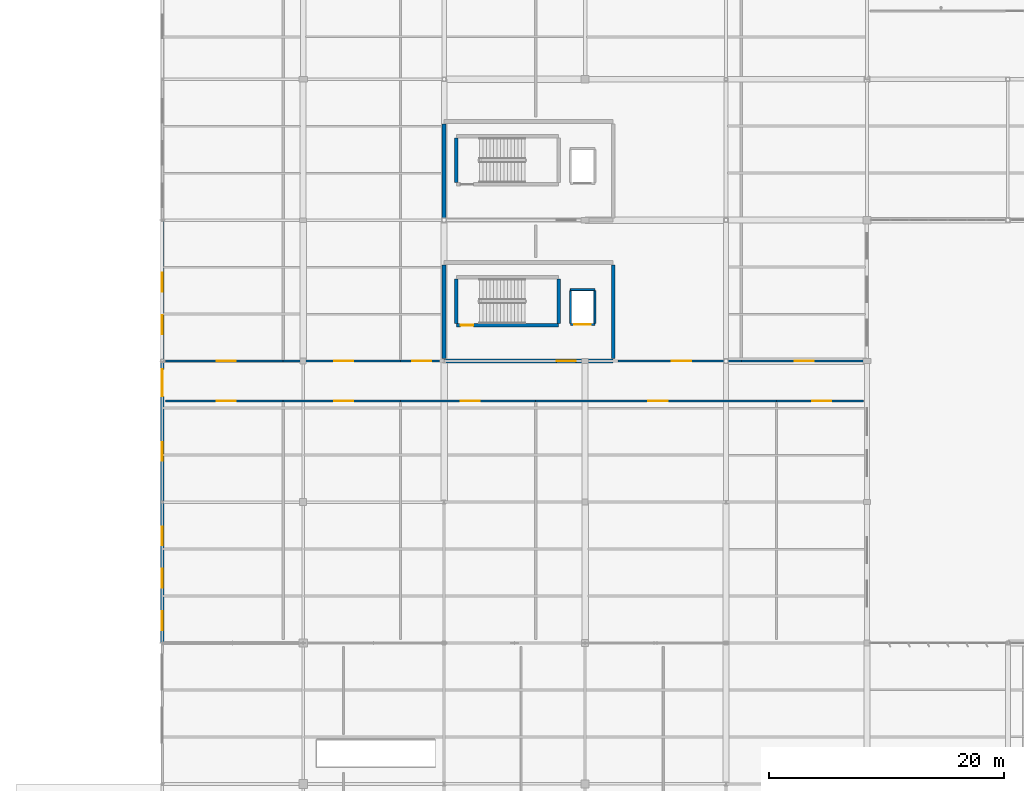
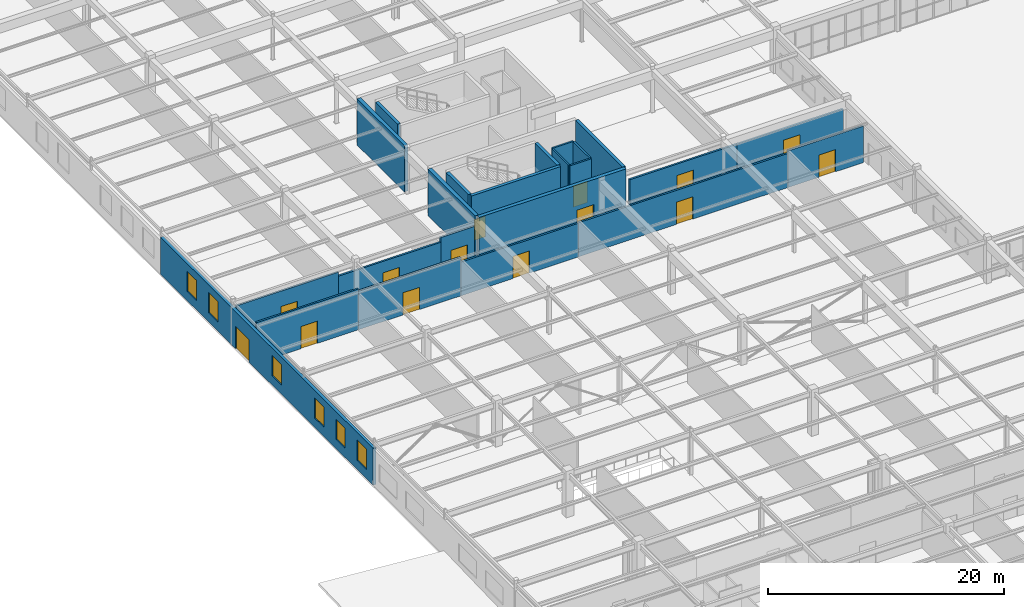
# One storey, part 163 of 199: 23 walls, 14 doors, 6 windows, 20 openings.
"""IFC4 building model written with IfcOpenShell, lengths in metres."""

from ifc_helpers import new_model, si_unit, direction, frame, frame_2d, origin, place, context, subcontext, project, spatial, rectangle, extrude, material, layer, layer_set, type_object, element, fill, save


model = new_model("IFC4")

# Units and contexts
model_context = context("Model", 3, precision=1e-05, world=origin(), true_north=direction((0.0, 1.0)))
body_context = subcontext(model_context, "Body", "Model", "MODEL_VIEW")
ifc_project = project(units=[si_unit("LENGTHUNIT", "METRE"), si_unit("AREAUNIT", "SQUARE_METRE"), si_unit("VOLUMEUNIT", "CUBIC_METRE"), si_unit("PLANEANGLEUNIT", "RADIAN"), si_unit("MASSUNIT", "GRAM", prefix="KILO")], contexts=[model_context])

# Site, building, storey
site_placement = place(None, origin())
site = spatial("IfcSite", under=ifc_project, at=site_placement, CompositionType="ELEMENT")
building_placement = place(site_placement, origin())
building = spatial("IfcBuilding", under=site, at=building_placement, Name="Tarnwether General Hospital", CompositionType="ELEMENT")
storey_placement = place(building_placement, origin())
storey = spatial("IfcBuildingStorey", under=building, at=storey_placement, Name="L00", CompositionType="ELEMENT", Elevation=0.0)

# Wall, openings, door, windows
ifc_material_1 = material(Name="Precast concrete 40 MPa", Category="concrete")
ifc_layer_1 = layer(ifc_material_1, 0.280029296875)
ifc_layer_set_1 = layer_set([ifc_layer_1], Name="Precast concrete 40 MPa")
wall_type_1 = type_object("IfcWallType", Name="WL-EX280", PredefinedType="STANDARD", material=ifc_layer_set_1)
wall_1_placement = place(storey_placement, frame((0.0, 45.60009765625, 0.0), z_axis=(0.0, 0.0, 1.0), x_axis=(0.0, 1.0, 0.0)))
wall_1 = element("IfcWall", 1, at=wall_1_placement, inside=storey, type_object=wall_type_1, Name="L00 West Scarp Overlook Wall EW-L00-0281", PredefinedType="STANDARD", context=body_context, shape_type="SweptSolid", body=[
    extrude(rectangle(XDim=36.0, YDim=0.280029296875, at=frame_2d((18.0, 0.0))), origin(), (0.0, 0.0, 1.0), 3.827880859375),
])
opening_1_placement = place(wall_1_placement, frame((21.0, 0.0, 0.0)))
opening_1 = element("IfcOpeningElement", 2, at=opening_1_placement, cuts=wall_1, Name="Opening ED-02", PredefinedType="OPENING", context=body_context, shape_type="SweptSolid", body=[
    extrude(rectangle(XDim=2.300048828125, YDim=2.300048828125, at=frame_2d((1.14990234375, 1.14990234375))), frame((0.0, 0.14990234375, 0.0), z_axis=(0.0, -1.0, 0.0), x_axis=(1.0, 0.0, 0.0)), (0.0, 0.0, 1.0), 0.300048828125),
])
opening_2_placement = place(wall_1_placement, frame((1.10009765625, 0.0, 0.949951171875)))
opening_2 = element("IfcOpeningElement", 3, at=opening_2_placement, cuts=wall_1, Name="Opening W-13", PredefinedType="OPENING", context=body_context, shape_type="SweptSolid", body=[
    extrude(rectangle(XDim=1.60009765625, YDim=2.10009765625, at=frame_2d((0.800048828125, 1.050048828125))), frame((0.0, 0.14990234375, 0.0), z_axis=(0.0, -1.0, 0.0), x_axis=(1.0, 0.0, 0.0)), (0.0, 0.0, 1.0), 0.300048828125),
])
opening_3_placement = place(wall_1_placement, frame((4.699951171875, 0.0, 0.949951171875)))
opening_3 = element("IfcOpeningElement", 4, at=opening_3_placement, cuts=wall_1, Name="Opening W-13", PredefinedType="OPENING", context=body_context, shape_type="SweptSolid", body=[
    extrude(rectangle(XDim=1.60009765625, YDim=2.10009765625, at=frame_2d((0.800048828125, 1.050048828125))), frame((0.0, 0.14990234375, 0.0), z_axis=(0.0, -1.0, 0.0), x_axis=(1.0, 0.0, 0.0)), (0.0, 0.0, 1.0), 0.300048828125),
])
opening_4_placement = place(wall_1_placement, frame((8.300048828125, 0.0, 0.949951171875)))
opening_4 = element("IfcOpeningElement", 5, at=opening_4_placement, cuts=wall_1, Name="Opening W-13", PredefinedType="OPENING", context=body_context, shape_type="SweptSolid", body=[
    extrude(rectangle(XDim=1.60009765625, YDim=2.10009765625, at=frame_2d((0.800048828125, 1.050048828125))), frame((0.0, 0.14990234375, 0.0), z_axis=(0.0, -1.0, 0.0), x_axis=(1.0, 0.0, 0.0)), (0.0, 0.0, 1.0), 0.300048828125),
])
opening_5_placement = place(wall_1_placement, frame((15.5, 0.0, 0.949951171875)))
opening_5 = element("IfcOpeningElement", 6, at=opening_5_placement, cuts=wall_1, Name="Opening W-13", PredefinedType="OPENING", context=body_context, shape_type="SweptSolid", body=[
    extrude(rectangle(XDim=1.60009765625, YDim=2.10009765625, at=frame_2d((0.800048828125, 1.050048828125))), frame((0.0, 0.14990234375, 0.0), z_axis=(0.0, -1.0, 0.0), x_axis=(1.0, 0.0, 0.0)), (0.0, 0.0, 1.0), 0.300048828125),
])
opening_6_placement = place(wall_1_placement, frame((26.300048828125, 0.0, 0.949951171875)))
opening_6 = element("IfcOpeningElement", 7, at=opening_6_placement, cuts=wall_1, Name="Opening W-13", PredefinedType="OPENING", context=body_context, shape_type="SweptSolid", body=[
    extrude(rectangle(XDim=1.60009765625, YDim=2.10009765625, at=frame_2d((0.800048828125, 1.050048828125))), frame((0.0, 0.14990234375, 0.0), z_axis=(0.0, -1.0, 0.0), x_axis=(1.0, 0.0, 0.0)), (0.0, 0.0, 1.0), 0.300048828125),
])
opening_7_placement = place(wall_1_placement, frame((29.89990234375, 0.0, 0.949951171875)))
opening_7 = element("IfcOpeningElement", 8, at=opening_7_placement, cuts=wall_1, Name="Opening W-13", PredefinedType="OPENING", context=body_context, shape_type="SweptSolid", body=[
    extrude(rectangle(XDim=1.60009765625, YDim=2.10009765625, at=frame_2d((0.800048828125, 1.050048828125))), frame((0.0, 0.14990234375, 0.0), z_axis=(0.0, -1.0, 0.0), x_axis=(1.0, 0.0, 0.0)), (0.0, 0.0, 1.0), 0.300048828125),
])
ifc_material_2 = material(Name="Anodised aluminium", Category="aluminium")
door_type_1 = type_object("IfcDoorType", Name="DR-EX02", OperationType="NOTDEFINED", PredefinedType="DOOR", material=ifc_material_2)
door_1_placement = place(opening_1_placement, origin())
door_1 = element("IfcDoor", 9, at=door_1_placement, inside=storey, type_object=door_type_1, Name="L00 West Imaging Protected Exit Door ED-L00-0011", OperationType="DOUBLE_DOOR_SINGLE_SWING", OverallHeight=2.300048828125, OverallWidth=2.300048828125, PredefinedType="DOOR", context=body_context, shape_type="SweptSolid", body=[
    extrude(rectangle(XDim=2.300048828125, YDim=2.300048828125, at=frame_2d((1.14990234375, 1.14990234375))), frame((0.0, 0.02490234375, 0.0), z_axis=(0.0, -1.0, 0.0), x_axis=(1.0, 0.0, 0.0)), (0.0, 0.0, 1.0), 0.050048828125),
])
fill(opening_1, door_1)
ifc_material_3 = material(Name="Double glazed low-E glass", Category="glass")
window_type = type_object("IfcWindowType", Name="WN-13", PartitioningType="DOUBLE_PANEL_VERTICAL", PredefinedType="WINDOW", material=ifc_material_3)
window_1_placement = place(opening_2_placement, origin())
window_1 = element("IfcWindow", 10, at=window_1_placement, inside=storey, type_object=window_type, Name="Window WN-L00-0019", OverallHeight=2.10009765625, OverallWidth=1.60009765625, PartitioningType="DOUBLE_PANEL_VERTICAL", PredefinedType="WINDOW", context=body_context, shape_type="SweptSolid", body=[
    extrude(rectangle(XDim=1.60009765625, YDim=2.10009765625, at=frame_2d((0.800048828125, 1.050048828125))), frame((0.0, 0.030029296875, 0.0), z_axis=(0.0, -1.0, 0.0), x_axis=(1.0, 0.0, 0.0)), (0.0, 0.0, 1.0), 0.06005859375),
])
fill(opening_2, window_1)
window_2_placement = place(opening_3_placement, origin())
window_2 = element("IfcWindow", 11, at=window_2_placement, inside=storey, type_object=window_type, Name="Window WN-L00-0020", OverallHeight=2.10009765625, OverallWidth=1.60009765625, PartitioningType="DOUBLE_PANEL_VERTICAL", PredefinedType="WINDOW", context=body_context, shape_type="SweptSolid", body=[
    extrude(rectangle(XDim=1.60009765625, YDim=2.10009765625, at=frame_2d((0.800048828125, 1.050048828125))), frame((0.0, 0.030029296875, 0.0), z_axis=(0.0, -1.0, 0.0), x_axis=(1.0, 0.0, 0.0)), (0.0, 0.0, 1.0), 0.06005859375),
])
fill(opening_3, window_2)
window_3_placement = place(opening_4_placement, origin())
window_3 = element("IfcWindow", 12, at=window_3_placement, inside=storey, type_object=window_type, Name="Window WN-L00-0021", OverallHeight=2.10009765625, OverallWidth=1.60009765625, PartitioningType="DOUBLE_PANEL_VERTICAL", PredefinedType="WINDOW", context=body_context, shape_type="SweptSolid", body=[
    extrude(rectangle(XDim=1.60009765625, YDim=2.10009765625, at=frame_2d((0.800048828125, 1.050048828125))), frame((0.0, 0.030029296875, 0.0), z_axis=(0.0, -1.0, 0.0), x_axis=(1.0, 0.0, 0.0)), (0.0, 0.0, 1.0), 0.06005859375),
])
fill(opening_4, window_3)
window_4_placement = place(opening_5_placement, origin())
window_4 = element("IfcWindow", 13, at=window_4_placement, inside=storey, type_object=window_type, Name="Window WN-L00-0022", OverallHeight=2.10009765625, OverallWidth=1.60009765625, PartitioningType="DOUBLE_PANEL_VERTICAL", PredefinedType="WINDOW", context=body_context, shape_type="SweptSolid", body=[
    extrude(rectangle(XDim=1.60009765625, YDim=2.10009765625, at=frame_2d((0.800048828125, 1.050048828125))), frame((0.0, 0.030029296875, 0.0), z_axis=(0.0, -1.0, 0.0), x_axis=(1.0, 0.0, 0.0)), (0.0, 0.0, 1.0), 0.06005859375),
])
fill(opening_5, window_4)
window_5_placement = place(opening_6_placement, origin())
window_5 = element("IfcWindow", 14, at=window_5_placement, inside=storey, type_object=window_type, Name="Window WN-L00-0023", OverallHeight=2.10009765625, OverallWidth=1.60009765625, PartitioningType="DOUBLE_PANEL_VERTICAL", PredefinedType="WINDOW", context=body_context, shape_type="SweptSolid", body=[
    extrude(rectangle(XDim=1.60009765625, YDim=2.10009765625, at=frame_2d((0.800048828125, 1.050048828125))), frame((0.0, 0.030029296875, 0.0), z_axis=(0.0, -1.0, 0.0), x_axis=(1.0, 0.0, 0.0)), (0.0, 0.0, 1.0), 0.06005859375),
])
fill(opening_6, window_5)
window_6_placement = place(opening_7_placement, origin())
window_6 = element("IfcWindow", 15, at=window_6_placement, inside=storey, type_object=window_type, Name="Window WN-L00-0024", OverallHeight=2.10009765625, OverallWidth=1.60009765625, PartitioningType="DOUBLE_PANEL_VERTICAL", PredefinedType="WINDOW", context=body_context, shape_type="SweptSolid", body=[
    extrude(rectangle(XDim=1.60009765625, YDim=2.10009765625, at=frame_2d((0.800048828125, 1.050048828125))), frame((0.0, 0.030029296875, 0.0), z_axis=(0.0, -1.0, 0.0), x_axis=(1.0, 0.0, 0.0)), (0.0, 0.0, 1.0), 0.06005859375),
])
fill(opening_7, window_6)

# Wall, opening, door
ifc_material_4 = material(Name="Gypsum plasterboard")
ifc_layer_2 = layer(ifc_material_4, 0.159912109375)
ifc_layer_set_2 = layer_set([ifc_layer_2], Name="Gypsum plasterboard")
wall_type_2 = type_object("IfcWallType", Name="WL-PT160", PredefinedType="PARTITIONING", material=ifc_layer_set_2)
wall_2_placement = place(storey_placement, frame((34.760009765625, 72.7099609375, 0.0), z_axis=(0.0, 0.0, 1.0), x_axis=(1.0, 0.0, 0.0)))
wall_2 = element("IfcWall", 16, at=wall_2_placement, inside=storey, type_object=wall_type_2, Name="Lift L-07 Shaft Wall LSH-L-07-L00-S", PredefinedType="PARTITIONING", context=body_context, shape_type="SweptSolid", body=[
    extrude(rectangle(XDim=2.080078125, YDim=0.159912109375, at=frame_2d((1.0400390625, 0.0))), origin(), (0.0, 0.0, 1.0), 4.445068359375),
])
opening_8_placement = place(wall_2_placement, frame((0.340087890625, 0.0, 0.0)))
opening_8 = element("IfcOpeningElement", 17, at=opening_8_placement, cuts=wall_2, Name="Opening LD-01", PredefinedType="OPENING", context=body_context, shape_type="SweptSolid", body=[
    extrude(rectangle(XDim=1.39990234375, YDim=2.199951171875, at=frame_2d((0.699951171875, 1.10009765625))), frame((0.0, 0.08984375, 0.0), z_axis=(0.0, -1.0, 0.0), x_axis=(1.0, 0.0, 0.0)), (0.0, 0.0, 1.0), 0.179931640625),
])
ifc_material_5 = material(Name="Anodised aluminium", Category="aluminium")
door_type_2 = type_object("IfcDoorType", Name="DR-LD01", OperationType="NOTDEFINED", PredefinedType="DOOR", material=ifc_material_5)
door_2_placement = place(opening_8_placement, origin())
door_2 = element("IfcDoor", 18, at=door_2_placement, inside=storey, type_object=door_type_2, Name="Lift L-07 Sliding Landing Door L00", OperationType="SLIDING_TO_RIGHT", OverallHeight=2.199951171875, OverallWidth=1.39990234375, PredefinedType="DOOR", context=body_context, shape_type="SweptSolid", body=[
    extrude(rectangle(XDim=1.39990234375, YDim=2.199951171875, at=frame_2d((0.699951171875, 1.10009765625))), frame((0.0, 0.02490234375, 0.0), z_axis=(0.0, -1.0, 0.0), x_axis=(1.0, 0.0, 0.0)), (0.0, 0.0, 1.0), 0.050048828125),
])
fill(opening_8, door_2)

# Walls
wall_3_placement = place(storey_placement, frame((36.840087890625, 75.68994140625, 0.0), z_axis=(0.0, 0.0, 1.0), x_axis=(-1.0, 0.0, 0.0)))
element("IfcWall", 19, at=wall_3_placement, inside=storey, type_object=wall_type_2, Name="Lift L-07 Shaft Wall LSH-L-07-L00-N", PredefinedType="PARTITIONING", context=body_context, shape_type="SweptSolid", body=[
    extrude(rectangle(XDim=2.080078125, YDim=0.159912109375, at=frame_2d((1.0400390625, 0.0))), origin(), (0.0, 0.0, 1.0), 4.445068359375),
])
for number, where, z_axis, x_axis, name in (
    (20, (34.760009765625, 75.590087890625, 0.0), (0.0, 0.0, 1.0), (0.0, -1.0, 0.0), "Lift L-07 Shaft Wall LSH-L-07-L00-W"),
    (21, (36.840087890625, 72.81005859375, 0.0), (0.0, 0.0, 1.0), (0.0, 1.0, 0.0), "Lift L-07 Shaft Wall LSH-L-07-L00-E"),
):
    element("IfcWall", number, at=place(storey_placement, frame(where, z_axis=z_axis, x_axis=x_axis)), inside=storey, type_object=wall_type_2, Name=name, PredefinedType="PARTITIONING", context=body_context, shape_type="SweptSolid", body=[
        extrude(rectangle(XDim=2.780029296875, YDim=0.159912109375, at=frame_2d((1.39013671875, 0.0))), origin(), (0.0, 0.0, 1.0), 4.445068359375),
    ])

# Wall, opening, door
ifc_material_6 = material(Name="Gypsum plasterboard")
ifc_layer_3 = layer(ifc_material_6, 0.179931640625)
ifc_layer_set_3 = layer_set([ifc_layer_3], Name="Gypsum plasterboard")
wall_type_3 = type_object("IfcWallType", Name="WL-PT180", PredefinedType="PARTITIONING", material=ifc_layer_set_3)
wall_4_placement = place(storey_placement, frame((0.300048828125, 66.199951171875, 0.0), z_axis=(0.0, 0.0, 1.0), x_axis=(1.0, 0.0, 0.0)))
wall_4 = element("IfcWall", 22, at=wall_4_placement, inside=storey, type_object=wall_type_3, Name="Interior Partition PT-L00-0088", PredefinedType="PARTITIONING", context=body_context, shape_type="SweptSolid", body=[
    extrude(rectangle(XDim=10.0, YDim=0.179931640625, at=frame_2d((5.0, 0.0))), origin(), (0.0, 0.0, 1.0), 4.22802734375),
])
opening_9_placement = place(wall_4_placement, frame((4.35009765625, 0.0, 0.0)))
opening_9 = element("IfcOpeningElement", 23, at=opening_9_placement, cuts=wall_4, Name="Opening SD-02", PredefinedType="OPENING", context=body_context, shape_type="SweptSolid", body=[
    extrude(rectangle(XDim=1.6201171875, YDim=2.300048828125, at=frame_2d((0.81005859375, 1.14990234375))), frame((0.0, 0.10009765625, 0.0), z_axis=(0.0, -1.0, 0.0), x_axis=(1.0, 0.0, 0.0)), (0.0, 0.0, 1.0), 0.199951171875),
])
ifc_material_7 = material(Name="Anodised aluminium", Category="aluminium")
door_type_3 = type_object("IfcDoorType", Name="DR-OR02", OperationType="NOTDEFINED", PredefinedType="DOOR", material=ifc_material_7)
door_3_placement = place(opening_9_placement, origin())
door_3 = element("IfcDoor", 24, at=door_3_placement, inside=storey, type_object=door_type_3, Name="Interior Door DR-L00-0050", OperationType="SLIDING_TO_RIGHT", OverallHeight=2.300048828125, OverallWidth=1.6201171875, PredefinedType="DOOR", context=body_context, shape_type="SweptSolid", body=[
    extrude(rectangle(XDim=1.6201171875, YDim=2.300048828125, at=frame_2d((0.81005859375, 1.14990234375))), frame((0.0, 0.02490234375, 0.0), z_axis=(0.0, -1.0, 0.0), x_axis=(1.0, 0.0, 0.0)), (0.0, 0.0, 1.0), 0.050048828125),
])
fill(opening_9, door_3)

wall_5_placement = place(storey_placement, frame((10.300048828125, 66.199951171875, 0.0), z_axis=(0.0, 0.0, 1.0), x_axis=(1.0, 0.0, 0.0)))
wall_5 = element("IfcWall", 25, at=wall_5_placement, inside=storey, type_object=wall_type_3, Name="Interior Partition PT-L00-0090", PredefinedType="PARTITIONING", context=body_context, shape_type="SweptSolid", body=[
    extrude(rectangle(XDim=10.0, YDim=0.179931640625, at=frame_2d((5.0, 0.0))), origin(), (0.0, 0.0, 1.0), 3.97607421875),
])
opening_10_placement = place(wall_5_placement, frame((4.35009765625, 0.0, 0.0)))
opening_10 = element("IfcOpeningElement", 26, at=opening_10_placement, cuts=wall_5, Name="Opening SD-02", PredefinedType="OPENING", context=body_context, shape_type="SweptSolid", body=[
    extrude(rectangle(XDim=1.6201171875, YDim=2.300048828125, at=frame_2d((0.81005859375, 1.14990234375))), frame((0.0, 0.10009765625, 0.0), z_axis=(0.0, -1.0, 0.0), x_axis=(1.0, 0.0, 0.0)), (0.0, 0.0, 1.0), 0.199951171875),
])
door_4_placement = place(opening_10_placement, origin())
door_4 = element("IfcDoor", 27, at=door_4_placement, inside=storey, type_object=door_type_3, Name="Interior Door DR-L00-0051", OperationType="SLIDING_TO_RIGHT", OverallHeight=2.300048828125, OverallWidth=1.6201171875, PredefinedType="DOOR", context=body_context, shape_type="SweptSolid", body=[
    extrude(rectangle(XDim=1.6201171875, YDim=2.300048828125, at=frame_2d((0.81005859375, 1.14990234375))), frame((0.0, 0.02490234375, 0.0), z_axis=(0.0, -1.0, 0.0), x_axis=(1.0, 0.0, 0.0)), (0.0, 0.0, 1.0), 0.050048828125),
])
fill(opening_10, door_4)

wall_6_placement = place(storey_placement, frame((20.300048828125, 66.199951171875, 0.0), z_axis=(0.0, 0.0, 1.0), x_axis=(1.0, 0.0, 0.0)))
wall_6 = element("IfcWall", 28, at=wall_6_placement, inside=storey, type_object=wall_type_3, Name="Interior Partition PT-L00-0092", PredefinedType="PARTITIONING", context=body_context, shape_type="SweptSolid", body=[
    extrude(rectangle(XDim=11.5, YDim=0.179931640625, at=frame_2d((5.75, 0.0))), origin(), (0.0, 0.0, 1.0), 3.47998046875),
])
opening_11_placement = place(wall_6_placement, frame((5.10009765625, 0.0, 0.0)))
opening_11 = element("IfcOpeningElement", 29, at=opening_11_placement, cuts=wall_6, Name="Opening SD-02", PredefinedType="OPENING", context=body_context, shape_type="SweptSolid", body=[
    extrude(rectangle(XDim=1.6201171875, YDim=2.300048828125, at=frame_2d((0.81005859375, 1.14990234375))), frame((0.0, 0.10009765625, 0.0), z_axis=(0.0, -1.0, 0.0), x_axis=(1.0, 0.0, 0.0)), (0.0, 0.0, 1.0), 0.199951171875),
])
door_5_placement = place(opening_11_placement, origin())
door_5 = element("IfcDoor", 30, at=door_5_placement, inside=storey, type_object=door_type_3, Name="Interior Door DR-L00-0052", OperationType="SLIDING_TO_RIGHT", OverallHeight=2.300048828125, OverallWidth=1.6201171875, PredefinedType="DOOR", context=body_context, shape_type="SweptSolid", body=[
    extrude(rectangle(XDim=1.6201171875, YDim=2.300048828125, at=frame_2d((0.81005859375, 1.14990234375))), frame((0.0, 0.02490234375, 0.0), z_axis=(0.0, -1.0, 0.0), x_axis=(1.0, 0.0, 0.0)), (0.0, 0.0, 1.0), 0.050048828125),
])
fill(opening_11, door_5)

wall_7_placement = place(storey_placement, frame((31.800048828125, 66.199951171875, 0.0), z_axis=(0.0, 0.0, 1.0), x_axis=(1.0, 0.0, 0.0)))
wall_7 = element("IfcWall", 31, at=wall_7_placement, inside=storey, type_object=wall_type_3, Name="Interior Partition PT-L00-0094", PredefinedType="PARTITIONING", context=body_context, shape_type="SweptSolid", body=[
    extrude(rectangle(XDim=20.5, YDim=0.179931640625, at=frame_2d((10.25, 0.0))), origin(), (0.0, 0.0, 1.0), 3.530029296875),
])
opening_12_placement = place(wall_7_placement, frame((9.60009765625, 0.0, 0.0)))
opening_12 = element("IfcOpeningElement", 32, at=opening_12_placement, cuts=wall_7, Name="Opening SD-02", PredefinedType="OPENING", context=body_context, shape_type="SweptSolid", body=[
    extrude(rectangle(XDim=1.6201171875, YDim=2.300048828125, at=frame_2d((0.81005859375, 1.14990234375))), frame((0.0, 0.10009765625, 0.0), z_axis=(0.0, -1.0, 0.0), x_axis=(1.0, 0.0, 0.0)), (0.0, 0.0, 1.0), 0.199951171875),
])
door_6_placement = place(opening_12_placement, origin())
door_6 = element("IfcDoor", 33, at=door_6_placement, inside=storey, type_object=door_type_3, Name="Interior Door DR-L00-0053", OperationType="SLIDING_TO_RIGHT", OverallHeight=2.300048828125, OverallWidth=1.6201171875, PredefinedType="DOOR", context=body_context, shape_type="SweptSolid", body=[
    extrude(rectangle(XDim=1.6201171875, YDim=2.300048828125, at=frame_2d((0.81005859375, 1.14990234375))), frame((0.0, 0.02490234375, 0.0), z_axis=(0.0, -1.0, 0.0), x_axis=(1.0, 0.0, 0.0)), (0.0, 0.0, 1.0), 0.050048828125),
])
fill(opening_12, door_6)

wall_8_placement = place(storey_placement, frame((52.300048828125, 66.199951171875, 0.0), z_axis=(0.0, 0.0, 1.0), x_axis=(1.0, 0.0, 0.0)))
wall_8 = element("IfcWall", 34, at=wall_8_placement, inside=storey, type_object=wall_type_3, Name="Interior Partition PT-L00-0096", PredefinedType="PARTITIONING", context=body_context, shape_type="SweptSolid", body=[
    extrude(rectangle(XDim=7.39990234375, YDim=0.179931640625, at=frame_2d((3.699951171875, 0.0))), origin(), (0.0, 0.0, 1.0), 3.780029296875),
])
opening_13_placement = place(wall_8_placement, frame((3.050048828125, 0.0, 0.0)))
opening_13 = element("IfcOpeningElement", 35, at=opening_13_placement, cuts=wall_8, Name="Opening SD-02", PredefinedType="OPENING", context=body_context, shape_type="SweptSolid", body=[
    extrude(rectangle(XDim=1.6201171875, YDim=2.300048828125, at=frame_2d((0.81005859375, 1.14990234375))), frame((0.0, 0.10009765625, 0.0), z_axis=(0.0, -1.0, 0.0), x_axis=(1.0, 0.0, 0.0)), (0.0, 0.0, 1.0), 0.199951171875),
])
door_7_placement = place(opening_13_placement, origin())
door_7 = element("IfcDoor", 36, at=door_7_placement, inside=storey, type_object=door_type_3, Name="Interior Door DR-L00-0054", OperationType="SLIDING_TO_RIGHT", OverallHeight=2.300048828125, OverallWidth=1.6201171875, PredefinedType="DOOR", context=body_context, shape_type="SweptSolid", body=[
    extrude(rectangle(XDim=1.6201171875, YDim=2.300048828125, at=frame_2d((0.81005859375, 1.14990234375))), frame((0.0, 0.02490234375, 0.0), z_axis=(0.0, -1.0, 0.0), x_axis=(1.0, 0.0, 0.0)), (0.0, 0.0, 1.0), 0.050048828125),
])
fill(opening_13, door_7)

wall_9_placement = place(storey_placement, frame((0.300048828125, 69.60009765625, 0.0), z_axis=(0.0, 0.0, 1.0), x_axis=(1.0, 0.0, 0.0)))
wall_9 = element("IfcWall", 37, at=wall_9_placement, inside=storey, type_object=wall_type_3, Name="Interior Partition PT-L00-0097", PredefinedType="PARTITIONING", context=body_context, shape_type="SweptSolid", body=[
    extrude(rectangle(XDim=10.0, YDim=0.179931640625, at=frame_2d((5.0, 0.0))), origin(), (0.0, 0.0, 1.0), 3.902099609375),
])
opening_14_placement = place(wall_9_placement, frame((4.35009765625, 0.0, 0.0)))
opening_14 = element("IfcOpeningElement", 38, at=opening_14_placement, cuts=wall_9, Name="Opening SD-02", PredefinedType="OPENING", context=body_context, shape_type="SweptSolid", body=[
    extrude(rectangle(XDim=1.6201171875, YDim=2.300048828125, at=frame_2d((0.81005859375, 1.14990234375))), frame((0.0, 0.10009765625, 0.0), z_axis=(0.0, -1.0, 0.0), x_axis=(1.0, 0.0, 0.0)), (0.0, 0.0, 1.0), 0.199951171875),
])
door_8_placement = place(opening_14_placement, origin())
door_8 = element("IfcDoor", 39, at=door_8_placement, inside=storey, type_object=door_type_3, Name="Interior Door DR-L00-0055", OperationType="SLIDING_TO_RIGHT", OverallHeight=2.300048828125, OverallWidth=1.6201171875, PredefinedType="DOOR", context=body_context, shape_type="SweptSolid", body=[
    extrude(rectangle(XDim=1.6201171875, YDim=2.300048828125, at=frame_2d((0.81005859375, 1.14990234375))), frame((0.0, 0.02490234375, 0.0), z_axis=(0.0, -1.0, 0.0), x_axis=(1.0, 0.0, 0.0)), (0.0, 0.0, 1.0), 0.050048828125),
])
fill(opening_14, door_8)

wall_10_placement = place(storey_placement, frame((10.300048828125, 69.60009765625, 0.0), z_axis=(0.0, 0.0, 1.0), x_axis=(1.0, 0.0, 0.0)))
wall_10 = element("IfcWall", 40, at=wall_10_placement, inside=storey, type_object=wall_type_3, Name="Interior Partition PT-L00-0099", PredefinedType="PARTITIONING", context=body_context, shape_type="SweptSolid", body=[
    extrude(rectangle(XDim=10.0, YDim=0.179931640625, at=frame_2d((5.0, 0.0))), origin(), (0.0, 0.0, 1.0), 3.47998046875),
])
opening_15_placement = place(wall_10_placement, frame((4.35009765625, 0.0, 0.0)))
opening_15 = element("IfcOpeningElement", 41, at=opening_15_placement, cuts=wall_10, Name="Opening SD-02", PredefinedType="OPENING", context=body_context, shape_type="SweptSolid", body=[
    extrude(rectangle(XDim=1.6201171875, YDim=2.300048828125, at=frame_2d((0.81005859375, 1.14990234375))), frame((0.0, 0.10009765625, 0.0), z_axis=(0.0, -1.0, 0.0), x_axis=(1.0, 0.0, 0.0)), (0.0, 0.0, 1.0), 0.199951171875),
])
door_9_placement = place(opening_15_placement, origin())
door_9 = element("IfcDoor", 42, at=door_9_placement, inside=storey, type_object=door_type_3, Name="Interior Door DR-L00-0056", OperationType="SLIDING_TO_RIGHT", OverallHeight=2.300048828125, OverallWidth=1.6201171875, PredefinedType="DOOR", context=body_context, shape_type="SweptSolid", body=[
    extrude(rectangle(XDim=1.6201171875, YDim=2.300048828125, at=frame_2d((0.81005859375, 1.14990234375))), frame((0.0, 0.02490234375, 0.0), z_axis=(0.0, -1.0, 0.0), x_axis=(1.0, 0.0, 0.0)), (0.0, 0.0, 1.0), 0.050048828125),
])
fill(opening_15, door_9)

wall_11_placement = place(storey_placement, frame((20.300048828125, 69.60009765625, 0.0), z_axis=(0.0, 0.0, 1.0), x_axis=(1.0, 0.0, 0.0)))
wall_11 = element("IfcWall", 43, at=wall_11_placement, inside=storey, type_object=wall_type_3, Name="Interior Partition PT-L00-0101", PredefinedType="PARTITIONING", context=body_context, shape_type="SweptSolid", body=[
    extrude(rectangle(XDim=3.300048828125, YDim=0.179931640625, at=frame_2d((1.64990234375, 0.0))), origin(), (0.0, 0.0, 1.0), 3.969970703125),
])
opening_16_placement = place(wall_11_placement, frame((1.0, 0.0, 0.0)))
opening_16 = element("IfcOpeningElement", 44, at=opening_16_placement, cuts=wall_11, Name="Opening SD-02", PredefinedType="OPENING", context=body_context, shape_type="SweptSolid", body=[
    extrude(rectangle(XDim=1.6201171875, YDim=2.300048828125, at=frame_2d((0.81005859375, 1.14990234375))), frame((0.0, 0.10009765625, 0.0), z_axis=(0.0, -1.0, 0.0), x_axis=(1.0, 0.0, 0.0)), (0.0, 0.0, 1.0), 0.199951171875),
])
door_10_placement = place(opening_16_placement, origin())
door_10 = element("IfcDoor", 45, at=door_10_placement, inside=storey, type_object=door_type_3, Name="Interior Door DR-L00-0057", OperationType="SLIDING_TO_RIGHT", OverallHeight=2.300048828125, OverallWidth=1.6201171875, PredefinedType="DOOR", context=body_context, shape_type="SweptSolid", body=[
    extrude(rectangle(XDim=1.6201171875, YDim=2.300048828125, at=frame_2d((0.81005859375, 1.14990234375))), frame((0.0, 0.02490234375, 0.0), z_axis=(0.0, -1.0, 0.0), x_axis=(1.0, 0.0, 0.0)), (0.0, 0.0, 1.0), 0.050048828125),
])
fill(opening_16, door_10)

wall_12_placement = place(storey_placement, frame((38.800048828125, 69.60009765625, 0.0), z_axis=(0.0, 0.0, 1.0), x_axis=(1.0, 0.0, 0.0)))
wall_12 = element("IfcWall", 46, at=wall_12_placement, inside=storey, type_object=wall_type_3, Name="Interior Partition PT-L00-0104", PredefinedType="PARTITIONING", context=body_context, shape_type="SweptSolid", body=[
    extrude(rectangle(XDim=10.5, YDim=0.179931640625, at=frame_2d((5.25, 0.0))), origin(), (0.0, 0.0, 1.0), 3.47998046875),
])
opening_17_placement = place(wall_12_placement, frame((4.60009765625, 0.0, 0.0)))
opening_17 = element("IfcOpeningElement", 47, at=opening_17_placement, cuts=wall_12, Name="Opening SD-02", PredefinedType="OPENING", context=body_context, shape_type="SweptSolid", body=[
    extrude(rectangle(XDim=1.6201171875, YDim=2.300048828125, at=frame_2d((0.81005859375, 1.14990234375))), frame((0.0, 0.10009765625, 0.0), z_axis=(0.0, -1.0, 0.0), x_axis=(1.0, 0.0, 0.0)), (0.0, 0.0, 1.0), 0.199951171875),
])
door_11_placement = place(opening_17_placement, origin())
door_11 = element("IfcDoor", 48, at=door_11_placement, inside=storey, type_object=door_type_3, Name="Interior Door DR-L00-0058", OperationType="SLIDING_TO_RIGHT", OverallHeight=2.300048828125, OverallWidth=1.6201171875, PredefinedType="DOOR", context=body_context, shape_type="SweptSolid", body=[
    extrude(rectangle(XDim=1.6201171875, YDim=2.300048828125, at=frame_2d((0.81005859375, 1.14990234375))), frame((0.0, 0.02490234375, 0.0), z_axis=(0.0, -1.0, 0.0), x_axis=(1.0, 0.0, 0.0)), (0.0, 0.0, 1.0), 0.050048828125),
])
fill(opening_17, door_11)

wall_13_placement = place(storey_placement, frame((49.300048828125, 69.60009765625, 0.0), z_axis=(0.0, 0.0, 1.0), x_axis=(1.0, 0.0, 0.0)))
wall_13 = element("IfcWall", 49, at=wall_13_placement, inside=storey, type_object=wall_type_3, Name="Interior Partition PT-L00-0106", PredefinedType="PARTITIONING", context=body_context, shape_type="SweptSolid", body=[
    extrude(rectangle(XDim=10.39990234375, YDim=0.179931640625, at=frame_2d((5.199951171875, 0.0))), origin(), (0.0, 0.0, 1.0), 3.47998046875),
])
opening_18_placement = place(wall_13_placement, frame((4.550048828125, 0.0, 0.0)))
opening_18 = element("IfcOpeningElement", 50, at=opening_18_placement, cuts=wall_13, Name="Opening SD-02", PredefinedType="OPENING", context=body_context, shape_type="SweptSolid", body=[
    extrude(rectangle(XDim=1.6201171875, YDim=2.300048828125, at=frame_2d((0.81005859375, 1.14990234375))), frame((0.0, 0.10009765625, 0.0), z_axis=(0.0, -1.0, 0.0), x_axis=(1.0, 0.0, 0.0)), (0.0, 0.0, 1.0), 0.199951171875),
])
door_12_placement = place(opening_18_placement, origin())
door_12 = element("IfcDoor", 51, at=door_12_placement, inside=storey, type_object=door_type_3, Name="Interior Door DR-L00-0059", OperationType="SLIDING_TO_RIGHT", OverallHeight=2.300048828125, OverallWidth=1.6201171875, PredefinedType="DOOR", context=body_context, shape_type="SweptSolid", body=[
    extrude(rectangle(XDim=1.6201171875, YDim=2.300048828125, at=frame_2d((0.81005859375, 1.14990234375))), frame((0.0, 0.02490234375, 0.0), z_axis=(0.0, -1.0, 0.0), x_axis=(1.0, 0.0, 0.0)), (0.0, 0.0, 1.0), 0.050048828125),
])
fill(opening_18, door_12)

# Wall
ifc_material_8 = material(Name="Concrete 50 MPa", Category="concrete")
ifc_layer_4 = layer(ifc_material_8, 0.300048828125)
ifc_layer_set_4 = layer_set([ifc_layer_4], Name="Concrete 50 MPa")
wall_type_4 = type_object("IfcWallType", Name="WL-SW300", PredefinedType="SHEAR", material=ifc_layer_set_4)
wall_14_placement = place(storey_placement, frame((38.39990234375, 77.800048828125, 0.0), z_axis=(0.0, 0.0, 1.0), x_axis=(0.0, -1.0, 0.0)))
element("IfcWall", 52, at=wall_14_placement, inside=storey, type_object=wall_type_4, Name="Core Shear Wall CWALL-K3-L00-E", PredefinedType="SHEAR", context=body_context, shape_type="SweptSolid", body=[
    extrude(rectangle(XDim=8.0, YDim=0.300048828125, at=frame_2d((4.0, 0.0))), origin(), (0.0, 0.0, 1.0), 4.800048828125),
])

# Wall, opening, door
wall_15_placement = place(storey_placement, frame((25.050048828125, 72.64990234375, 0.0), z_axis=(0.0, 0.0, 1.0), x_axis=(1.0, 0.0, 0.0)))
wall_15 = element("IfcWall", 53, at=wall_15_placement, inside=storey, type_object=wall_type_4, Name="Stairwell Shear Wall STW-ST-03-L00-B", PredefinedType="SHEAR", context=body_context, shape_type="SweptSolid", body=[
    extrude(rectangle(XDim=8.699951171875, YDim=0.300048828125, at=frame_2d((4.35009765625, 0.0))), origin(), (0.0, 0.0, 1.0), 4.800048828125),
])
opening_19_placement = place(wall_15_placement, frame((0.35009765625, 0.0, 0.0)))
opening_19 = element("IfcOpeningElement", 54, at=opening_19_placement, cuts=wall_15, Name="Opening FD-06", PredefinedType="OPENING", context=body_context, shape_type="SweptSolid", body=[
    extrude(rectangle(XDim=1.10009765625, YDim=2.14990234375, at=frame_2d((0.550048828125, 1.074951171875))), frame((0.0, 0.16015625, 0.0), z_axis=(0.0, -1.0, 0.0), x_axis=(1.0, 0.0, 0.0)), (0.0, 0.0, 1.0), 0.320068359375),
])
ifc_material_9 = material(Name="Anodised aluminium", Category="aluminium")
door_type_4 = type_object("IfcDoorType", Name="DR-FD06", OperationType="NOTDEFINED", PredefinedType="DOOR", material=ifc_material_9)
door_13_placement = place(opening_19_placement, origin())
door_13 = element("IfcDoor", 55, at=door_13_placement, inside=storey, type_object=door_type_4, Name="Stairwell ST-03 Safe-Path Fire Door L00", OperationType="SINGLE_SWING_RIGHT", OverallHeight=2.14990234375, OverallWidth=1.10009765625, PredefinedType="DOOR", context=body_context, shape_type="SweptSolid", body=[
    extrude(rectangle(XDim=1.10009765625, YDim=2.14990234375, at=frame_2d((0.550048828125, 1.074951171875))), frame((0.0, 0.02490234375, 0.0), z_axis=(0.0, -1.0, 0.0), x_axis=(1.0, 0.0, 0.0)), (0.0, 0.0, 1.0), 0.050048828125),
])
fill(opening_19, door_13)

# Walls
for number, where, z_axis, x_axis, name in (
    (56, (25.050048828125, 72.820068359375, 0.0), (0.0, 0.0, 1.0), (0.0, 1.0, 0.0), "Stairwell Shear Wall STW-ST-03-L00-L"),
    (57, (33.75, 72.820068359375, 0.0), (0.0, 0.0, 1.0), (0.0, 1.0, 0.0), "Stairwell Shear Wall STW-ST-03-L00-F"),
    (58, (25.050048828125, 84.820068359375, 0.0), (0.0, 0.0, 1.0), (0.0, 1.0, 0.0), "Stairwell Shear Wall STW-ST-04-L00-L"),
):
    element("IfcWall", number, at=place(storey_placement, frame(where, z_axis=z_axis, x_axis=x_axis)), inside=storey, type_object=wall_type_4, Name=name, PredefinedType="SHEAR", context=body_context, shape_type="SweptSolid", body=[
        extrude(rectangle(XDim=3.760009765625, YDim=0.300048828125, at=frame_2d((1.8798828125, 0.0))), origin(), (0.0, 0.0, 1.0), 4.800048828125),
    ])

# Wall, opening, door
ifc_material_10 = material(Name="Concrete 50 MPa", Category="concrete")
ifc_layer_5 = layer(ifc_material_10, 0.35009765625)
ifc_layer_set_5 = layer_set([ifc_layer_5], Name="Concrete 50 MPa")
wall_type_5 = type_object("IfcWallType", Name="WL-SW350", PredefinedType="SHEAR", material=ifc_layer_set_5)
wall_16_placement = place(storey_placement, frame((38.39990234375, 69.60009765625, 0.0), z_axis=(0.0, 0.0, 1.0), x_axis=(-1.0, 0.0, 0.0)))
wall_16 = element("IfcWall", 59, at=wall_16_placement, inside=storey, type_object=wall_type_5, Name="Core Shear Wall CWALL-K3-L00-S", PredefinedType="SHEAR", context=body_context, shape_type="SweptSolid", body=[
    extrude(rectangle(XDim=14.39990234375, YDim=0.35009765625, at=frame_2d((7.199951171875, 0.0))), origin(), (0.0, 0.0, 1.0), 4.800048828125),
])
opening_20_placement = place(wall_16_placement, frame((3.172119140625, 0.0, 0.0)))
opening_20 = element("IfcOpeningElement", 60, at=opening_20_placement, cuts=wall_16, Name="Opening FD-01", PredefinedType="OPENING", context=body_context, shape_type="SweptSolid", body=[
    extrude(rectangle(XDim=1.639892578125, YDim=2.199951171875, at=frame_2d((0.81982421875, 1.10009765625))), frame((0.0, 0.18505859375, 0.0), z_axis=(0.0, -1.0, 0.0), x_axis=(1.0, 0.0, 0.0)), (0.0, 0.0, 1.0), 0.3701171875),
])
ifc_material_11 = material(Name="Anodised aluminium", Category="aluminium")
door_type_5 = type_object("IfcDoorType", Name="DR-FD01", OperationType="NOTDEFINED", PredefinedType="DOOR", material=ifc_material_11)
door_14_placement = place(opening_20_placement, origin())
door_14 = element("IfcDoor", 61, at=door_14_placement, inside=storey, type_object=door_type_5, Name="Core K3 Lobby Fire Door L00", OperationType="DOUBLE_DOOR_SINGLE_SWING", OverallHeight=2.199951171875, OverallWidth=1.639892578125, PredefinedType="DOOR", context=body_context, shape_type="SweptSolid", body=[
    extrude(rectangle(XDim=1.639892578125, YDim=2.199951171875, at=frame_2d((0.81982421875, 1.10009765625))), frame((0.0, 0.02490234375, 0.0), z_axis=(0.0, -1.0, 0.0), x_axis=(1.0, 0.0, 0.0)), (0.0, 0.0, 1.0), 0.050048828125),
])
fill(opening_20, door_14)

# Walls
for number, where, z_axis, x_axis, name in (
    (62, (24.0, 69.800048828125, 0.0), (0.0, 0.0, 1.0), (0.0, 1.0, 0.0), "Core Shear Wall CWALL-K3-L00-W"),
    (63, (24.0, 81.800048828125, 0.0), (0.0, 0.0, 1.0), (0.0, 1.0, 0.0), "Core Shear Wall CWALL-K4-L00-W"),
):
    element("IfcWall", number, at=place(storey_placement, frame(where, z_axis=z_axis, x_axis=x_axis)), inside=storey, type_object=wall_type_5, Name=name, PredefinedType="SHEAR", context=body_context, shape_type="SweptSolid", body=[
        extrude(rectangle(XDim=8.0, YDim=0.35009765625, at=frame_2d((4.0, 0.0))), origin(), (0.0, 0.0, 1.0), 4.800048828125),
    ])

save(model, "model.ifc")
